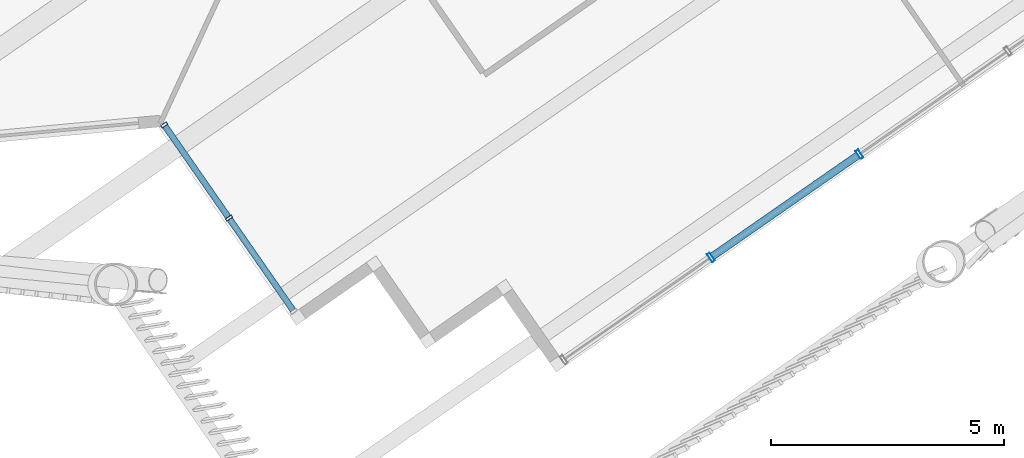
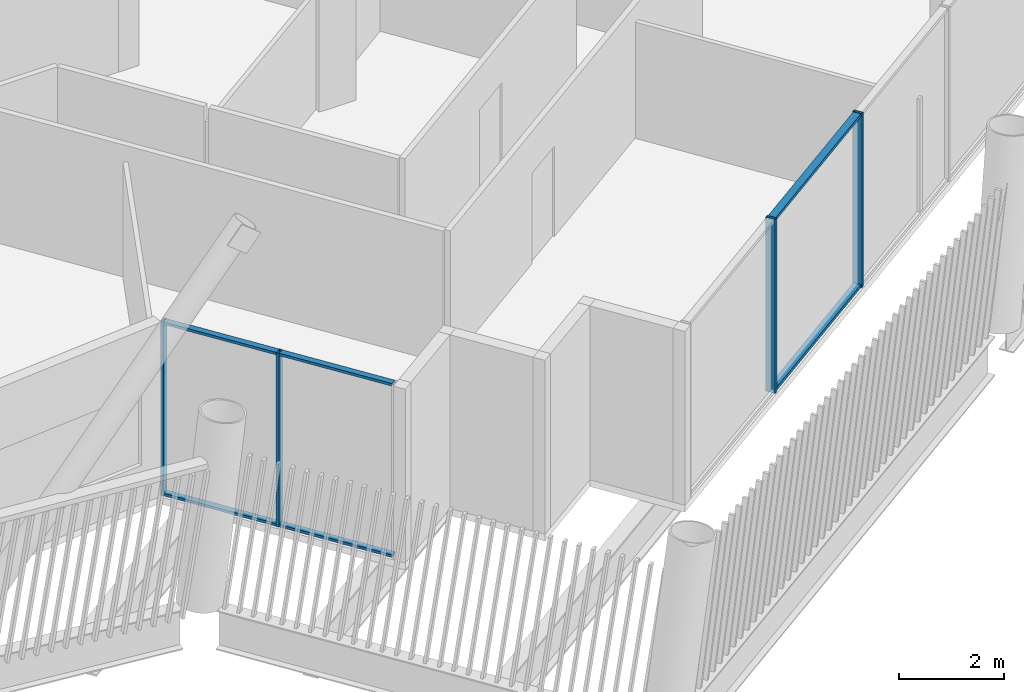
# One storey, part 10 of 33: 10 members, 2 elements without a shape of their own.
"""IFC4 building model written with IfcOpenShell, lengths in metres."""

from ifc_helpers import new_model, si_unit, direction, frame, origin, origin_2d, place, context, subcontext, project, spatial, hollow_rectangle, extrude, material, layer, layer_set, material_profile, profile_set, type_object, element, aggregate, save


model = new_model("IFC4")

# Units and contexts
model_context = context("Model", 3, precision=1e-05, world=origin(), true_north=direction((0.0, 1.0)))
body_context = subcontext(model_context, "Body", "Model", "MODEL_VIEW")
ifc_project = project(units=[si_unit("LENGTHUNIT", "METRE"), si_unit("AREAUNIT", "SQUARE_METRE"), si_unit("VOLUMEUNIT", "CUBIC_METRE"), si_unit("PLANEANGLEUNIT", "RADIAN"), si_unit("MASSUNIT", "GRAM", prefix="KILO")], contexts=[model_context])

# Site, building, storey
site_placement = place(None, origin())
site = spatial("IfcSite", under=ifc_project, at=site_placement, CompositionType="ELEMENT")
building_placement = place(site_placement, origin())
building = spatial("IfcBuilding", under=site, at=building_placement, Name="Tarsis Ring Headquarters", CompositionType="ELEMENT")
storey_placement = place(building_placement, frame((0.0, 0.0, 369.199951171875)))
storey = spatial("IfcBuildingStorey", under=building, at=storey_placement, Name="L87", CompositionType="ELEMENT", Elevation=369.199951171875)

# Curtain wall, members
ifc_material_1 = material(Name="Aluminium curtain wall", Category="aluminium")
ifc_layer_1 = layer(ifc_material_1, 0.199951171875)
ifc_layer_set_1 = layer_set([ifc_layer_1], Name="Curtain wall executive tip")
curtain_wall_type_1 = type_object("IfcCurtainWallType", Name="Curtain wall executive tip", PredefinedType="NOTDEFINED", material=ifc_layer_set_1)
curtain_wall_1_placement = place(storey_placement, origin())
curtain_wall_1 = element("IfcCurtainWall", 1, at=curtain_wall_1_placement, inside=storey, type_object=curtain_wall_type_1, Name="Curtain wall L87-11", PredefinedType="NOTDEFINED")
ifc_material_2 = material(Name="Aluminium mullion", Category="aluminium")
ifc_material_profile_1 = material_profile(ifc_material_2, hollow_rectangle(XDim=0.199951171875, YDim=0.070068359375, WallThickness=0.0048828125, at=origin_2d()), Name="RHS 200x70x5")
ifc_profile_set_1 = profile_set([ifc_material_profile_1], Name="Aluminium mullion")
member_type_1 = type_object("IfcMemberType", Name="Curtain wall mullion executive tip RHS 200x70x5", PredefinedType="MULLION", material=ifc_profile_set_1)
member_1_placement = place(storey_placement, frame((15.009521484375, -28.3857421875, 0.0), z_axis=(0.0, 0.0, 1.0), x_axis=(-0.57071354686, 0.821149223607, 0.0)))
member_1 = element("IfcMember", 2, at=member_1_placement, type_object=member_type_1, Name="CW-E mullion 2", PredefinedType="MULLION", context=body_context, shape_type="SweptSolid", body=[
    extrude(hollow_rectangle(XDim=0.199951171875, YDim=0.070068359375, WallThickness=0.0048828125, at=origin_2d()), origin(), (0.0, 0.0, 1.0), 4.0400390625),
])
member_2_placement = place(storey_placement, frame((18.19140625, -26.174072265625, 0.0), z_axis=(0.0, 0.0, 1.0), x_axis=(-0.57071354686, 0.821149223607, 0.0)))
member_2 = element("IfcMember", 3, at=member_2_placement, type_object=member_type_1, Name="CW-E mullion 3", PredefinedType="MULLION", context=body_context, shape_type="SweptSolid", body=[
    extrude(hollow_rectangle(XDim=0.199951171875, YDim=0.070068359375, WallThickness=0.0048828125, at=origin_2d()), origin(), (0.0, 0.0, 1.0), 4.0400390625),
])

ifc_layer_2 = layer(ifc_material_1, 0.14990234375)
ifc_layer_set_2 = layer_set([ifc_layer_2], Name="Curtain wall tower unit")
curtain_wall_type_2 = type_object("IfcCurtainWallType", Name="Curtain wall tower unit", PredefinedType="NOTDEFINED", material=ifc_layer_set_2)
curtain_wall_2_placement = place(storey_placement, origin())
curtain_wall_2 = element("IfcCurtainWall", 4, at=curtain_wall_2_placement, inside=storey, type_object=curtain_wall_type_2, Name="Curtain wall L87-06", PredefinedType="NOTDEFINED")
ifc_material_profile_2 = material_profile(ifc_material_2, hollow_rectangle(XDim=0.14990234375, YDim=0.06005859375, WallThickness=0.0048828125, at=origin_2d()), Name="RHS 150x60x5")
ifc_profile_set_2 = profile_set([ifc_material_profile_2], Name="Aluminium mullion")
member_type_2 = type_object("IfcMemberType", Name="Curtain wall mullion tower unit RHS 150x60x5", PredefinedType="MULLION", material=ifc_profile_set_2)
member_3_placement = place(storey_placement, frame((3.294189453125, -25.547119140625, 0.0), z_axis=(0.0, 0.0, 1.0), x_axis=(0.82114922027, 0.570713551662, 0.0)))
member_3 = element("IfcMember", 5, at=member_3_placement, type_object=member_type_2, Name="CW-T mullion 1", PredefinedType="MULLION", context=body_context, shape_type="SweptSolid", body=[
    extrude(hollow_rectangle(XDim=0.14990234375, YDim=0.06005859375, WallThickness=0.0048828125, at=origin_2d()), origin(), (0.0, 0.0, 1.0), 4.0400390625),
])
member_4_placement = place(storey_placement, frame((4.681640625, -27.543212890625, 0.0), z_axis=(0.0, 0.0, 1.0), x_axis=(0.82114922027, 0.570713551662, 0.0)))
member_4 = element("IfcMember", 6, at=member_4_placement, type_object=member_type_2, Name="CW-T mullion 2", PredefinedType="MULLION", context=body_context, shape_type="SweptSolid", body=[
    extrude(hollow_rectangle(XDim=0.14990234375, YDim=0.06005859375, WallThickness=0.0048828125, at=origin_2d()), origin(), (0.0, 0.0, 1.0), 4.0400390625),
])

# Member
ifc_material_3 = material(Name="Aluminium transom", Category="aluminium")
ifc_material_profile_3 = material_profile(ifc_material_3, hollow_rectangle(XDim=0.159912109375, YDim=0.070068359375, WallThickness=0.0048828125, at=origin_2d()), Name="RHS 160x70x5")
ifc_profile_set_3 = profile_set([ifc_material_profile_3], Name="Aluminium transom")
member_type_3 = type_object("IfcMemberType", Name="Curtain wall transom executive tip RHS 160x70x5", PredefinedType="USERDEFINED", material=ifc_profile_set_3)
member_5_placement = place(storey_placement, frame((15.038330078125, -28.36572265625, 0.03515625), z_axis=(0.821144449632, 0.570720415649, 0.0), x_axis=(-0.570720415649, 0.821144449632, 0.0)))
member_5 = element("IfcMember", 7, at=member_5_placement, type_object=member_type_3, Name="CW-E transom 2.1", ObjectType="TRANSOM", PredefinedType="USERDEFINED", context=body_context, shape_type="SweptSolid", body=[
    extrude(hollow_rectangle(XDim=0.159912109375, YDim=0.070068359375, WallThickness=0.0048828125, at=origin_2d()), origin(), (0.0, 0.0, 1.0), 3.80517578125),
])

member_6_placement = place(storey_placement, frame((15.038330078125, -28.36572265625, 4.005126953125), z_axis=(0.821144449632, 0.570720415649, 0.0), x_axis=(-0.570720415649, 0.821144449632, 0.0)))
member_6 = element("IfcMember", 8, at=member_6_placement, type_object=member_type_3, Name="CW-E transom 2.2", ObjectType="TRANSOM", PredefinedType="USERDEFINED", context=body_context, shape_type="SweptSolid", body=[
    extrude(hollow_rectangle(XDim=0.159912109375, YDim=0.070068359375, WallThickness=0.0048828125, at=origin_2d()), origin(), (0.0, 0.0, 1.0), 3.80517578125),
])

aggregate(curtain_wall_1, [member_1, member_2, member_5, member_6])

ifc_material_profile_4 = material_profile(ifc_material_3, hollow_rectangle(XDim=0.1298828125, YDim=0.06005859375, WallThickness=0.0048828125, at=origin_2d()), Name="RHS 130x60x5")
ifc_profile_set_4 = profile_set([ifc_material_profile_4], Name="Aluminium transom")
member_type_4 = type_object("IfcMemberType", Name="Curtain wall transom tower unit RHS 130x60x5", PredefinedType="USERDEFINED", material=ifc_profile_set_4)
member_7_placement = place(storey_placement, frame((3.311279296875, -25.57177734375, 0.030029296875), z_axis=(0.570777835031, -0.821104538434, 0.0), x_axis=(0.821104538434, 0.570777835031, 0.0)))
member_7 = element("IfcMember", 9, at=member_7_placement, type_object=member_type_4, Name="CW-T transom 1.1", ObjectType="TRANSOM", PredefinedType="USERDEFINED", context=body_context, shape_type="SweptSolid", body=[
    extrude(hollow_rectangle(XDim=0.1298828125, YDim=0.06005859375, WallThickness=0.0048828125, at=origin_2d()), origin(), (0.0, 0.0, 1.0), 2.370849609375),
])

member_8_placement = place(storey_placement, frame((3.311279296875, -25.57177734375, 4.010009765625), z_axis=(0.570777835031, -0.821104538434, 0.0), x_axis=(0.821104538434, 0.570777835031, 0.0)))
member_8 = element("IfcMember", 10, at=member_8_placement, type_object=member_type_4, Name="CW-T transom 1.2", ObjectType="TRANSOM", PredefinedType="USERDEFINED", context=body_context, shape_type="SweptSolid", body=[
    extrude(hollow_rectangle(XDim=0.1298828125, YDim=0.06005859375, WallThickness=0.0048828125, at=origin_2d()), origin(), (0.0, 0.0, 1.0), 2.370849609375),
])

member_9_placement = place(storey_placement, frame((4.69873046875, -27.56787109375, 0.030029296875), z_axis=(0.570729578075, -0.821138081391, 0.0), x_axis=(0.821138081391, 0.570729578075, 0.0)))
member_9 = element("IfcMember", 11, at=member_9_placement, type_object=member_type_4, Name="CW-T transom 2.1", ObjectType="TRANSOM", PredefinedType="USERDEFINED", context=body_context, shape_type="SweptSolid", body=[
    extrude(hollow_rectangle(XDim=0.1298828125, YDim=0.06005859375, WallThickness=0.0048828125, at=origin_2d()), origin(), (0.0, 0.0, 1.0), 2.37109375),
])

member_10_placement = place(storey_placement, frame((4.69873046875, -27.56787109375, 4.010009765625), z_axis=(0.570729578075, -0.821138081391, 0.0), x_axis=(0.821138081391, 0.570729578075, 0.0)))
member_10 = element("IfcMember", 12, at=member_10_placement, type_object=member_type_4, Name="CW-T transom 2.2", ObjectType="TRANSOM", PredefinedType="USERDEFINED", context=body_context, shape_type="SweptSolid", body=[
    extrude(hollow_rectangle(XDim=0.1298828125, YDim=0.06005859375, WallThickness=0.0048828125, at=origin_2d()), origin(), (0.0, 0.0, 1.0), 2.37109375),
])

aggregate(curtain_wall_2, [member_3, member_4, member_7, member_8, member_9, member_10])

save(model, "model.ifc")
